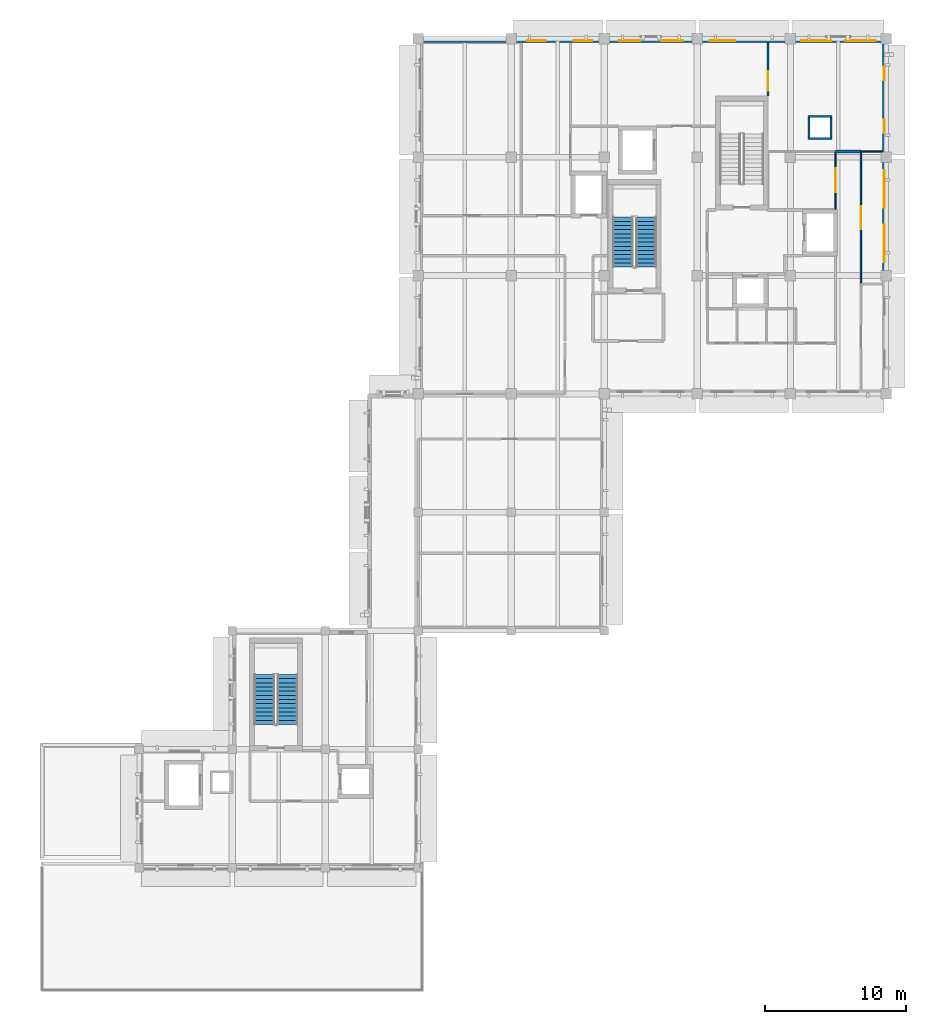
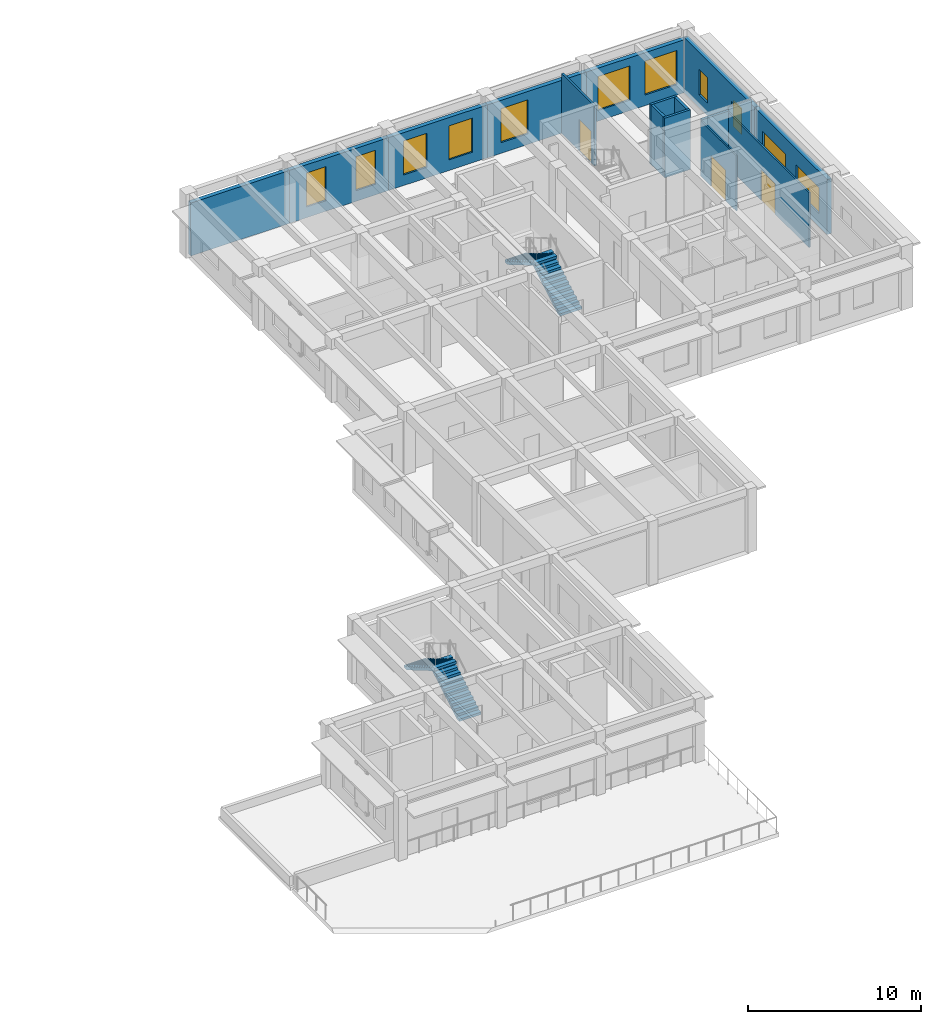
# One storey, part 13 of 20: 16 walls, 11 windows, 4 stair flights, 3 doors, 14 openings, 2 elements without a shape of their own.
"""IFC4 building model written with IfcOpenShell, lengths in metres."""

from ifc_helpers import new_model, si_unit, direction, frame, frame_2d, origin, place, context, subcontext, project, spatial, polyline, rectangle, outline, extrude, material, layer, layer_set, type_object, element, fill, aggregate, save


model = new_model("IFC4")

# Units and contexts
model_context = context("Model", 3, precision=1e-05, world=origin(), true_north=direction((0.0, 1.0)))
body_context = subcontext(model_context, "Body", "Model", "MODEL_VIEW")
ifc_project = project(units=[si_unit("LENGTHUNIT", "METRE"), si_unit("AREAUNIT", "SQUARE_METRE"), si_unit("VOLUMEUNIT", "CUBIC_METRE"), si_unit("PLANEANGLEUNIT", "RADIAN"), si_unit("MASSUNIT", "GRAM", prefix="KILO")], contexts=[model_context])

# Site, building, storey
site_placement = place(None, origin())
site = spatial("IfcSite", under=ifc_project, at=site_placement, CompositionType="ELEMENT")
building_placement = place(site_placement, origin())
building = spatial("IfcBuilding", under=site, at=building_placement, Name="Kolvaren Faculty of Natural Sciences", CompositionType="ELEMENT")
storey_placement = place(building_placement, frame((0.0, 0.0, 24.0)))
storey = spatial("IfcBuildingStorey", under=building, at=storey_placement, Name="L05", CompositionType="ELEMENT", Elevation=24.0)

# Wall, opening, door
ifc_material_1 = material(Name="Acoustic mineral-wool insulated gypsum partition")
ifc_layer_1 = layer(ifc_material_1, 0.094970703125)
ifc_layer_set_1 = layer_set([ifc_layer_1], Name="Acoustic mineral-wool insulated gypsum partition")
wall_type_1 = type_object("IfcWallType", Name="CubiclePartition_095", PredefinedType="PARTITIONING", material=ifc_layer_set_1)
wall_1_placement = place(storey_placement, frame((168.39990234375, 76.199951171875, 0.0), z_axis=(0.0, 0.0, 1.0), x_axis=(0.0, -1.0, 0.0)))
wall_1 = element("IfcWall", 1, at=wall_1_placement, inside=storey, type_object=wall_type_1, Name="L05 interior partition PW-095", PredefinedType="PARTITIONING", context=body_context, shape_type="SweptSolid", body=[
    extrude(rectangle(XDim=4.097900390625, YDim=0.094970703125, at=frame_2d((2.048828125, 0.0))), origin(), (0.0, 0.0, 1.0), 3.885009765625),
])
opening_1_placement = place(wall_1_placement, frame((1.198974609375, 0.0, 0.0)))
opening_1 = element("IfcOpeningElement", 2, at=opening_1_placement, cuts=wall_1, Name="Opening ID-30", PredefinedType="OPENING", context=body_context, shape_type="SweptSolid", body=[
    extrude(rectangle(XDim=1.699951171875, YDim=2.139892578125, at=frame_2d((0.85009765625, 1.06982421875))), frame((0.0, 0.057373046875, 0.0), z_axis=(0.0, -1.0, 0.0), x_axis=(1.0, 0.0, 0.0)), (0.0, 0.0, 1.0), 0.114990234375),
])
ifc_material_2 = material(Name="Thermally broken anodised aluminium glazed door", Category="aluminium")
door_type_1 = type_object("IfcDoorType", Name="InteriorRoomDoor_1700x2140", OperationType="DOUBLE_DOOR_SINGLE_SWING", PredefinedType="DOOR", material=ifc_material_2)
door_1_placement = place(opening_1_placement, origin())
door_1 = element("IfcDoor", 3, at=door_1_placement, inside=storey, type_object=door_type_1, Name="D-L05-0325", OperationType="DOUBLE_DOOR_SINGLE_SWING", OverallHeight=2.139892578125, OverallWidth=1.699951171875, PredefinedType="DOOR", context=body_context, shape_type="SweptSolid", body=[
    extrude(rectangle(XDim=1.699951171875, YDim=2.139892578125, at=frame_2d((0.85009765625, 1.06982421875))), frame((0.0, 0.02490234375, 0.0), z_axis=(0.0, -1.0, 0.0), x_axis=(1.0, 0.0, 0.0)), (0.0, 0.0, 1.0), 0.050048828125),
])
fill(opening_1, door_1)

# Wall
ifc_material_3 = material(Name="Precast concrete C35/45", Category="concrete")
ifc_layer_2 = layer(ifc_material_3, 0.280029296875)
ifc_layer_set_2 = layer_set([ifc_layer_2], Name="Precast concrete C35/45")
wall_type_2 = type_object("IfcWallType", Name="ExteriorPrecastWall_280", PredefinedType="STANDARD", material=ifc_layer_set_2)
wall_2_placement = place(storey_placement, frame((138.800048828125, 84.06005859375, 0.0), z_axis=(0.0, 0.0, 1.0), x_axis=(1.0, 0.0, 0.0)))
element("IfcWall", 4, at=wall_2_placement, inside=storey, type_object=wall_type_2, Name="L05 exterior masonry wall EW-280 (643)", PredefinedType="STANDARD", context=body_context, shape_type="SweptSolid", body=[
    extrude(rectangle(XDim=6.599853515625, YDim=0.280029296875, at=frame_2d((3.2998046875, 0.0))), origin(), (0.0, 0.0, 1.0), 3.735107421875),
])

# Wall, openings, windows
wall_3_placement = place(storey_placement, frame((145.39990234375, 84.06005859375, 0.0), z_axis=(0.0, 0.0, 1.0), x_axis=(1.0, 0.0, 0.0)))
wall_3 = element("IfcWall", 5, at=wall_3_placement, inside=storey, type_object=wall_type_2, Name="L05 exterior masonry wall EW-280 (644)", PredefinedType="STANDARD", context=body_context, shape_type="SweptSolid", body=[
    extrude(rectangle(XDim=6.60009765625, YDim=0.280029296875, at=frame_2d((3.300048828125, 0.0))), origin(), (0.0, 0.0, 1.0), 3.735107421875),
])
opening_2_placement = place(wall_3_placement, frame((1.132080078125, 0.0, 0.75)))
opening_2 = element("IfcOpeningElement", 6, at=opening_2_placement, cuts=wall_3, Name="Opening WIN-19", PredefinedType="OPENING", context=body_context, shape_type="SweptSolid", body=[
    extrude(rectangle(XDim=1.300048828125, YDim=2.39990234375, at=frame_2d((0.64990234375, 1.199951171875))), frame((0.0, 0.14990234375, 0.0), z_axis=(0.0, -1.0, 0.0), x_axis=(1.0, 0.0, 0.0)), (0.0, 0.0, 1.0), 0.300048828125),
])
opening_3_placement = place(wall_3_placement, frame((4.43994140625, 0.0, 0.75)))
opening_3 = element("IfcOpeningElement", 7, at=opening_3_placement, cuts=wall_3, Name="Opening WIN-19", PredefinedType="OPENING", context=body_context, shape_type="SweptSolid", body=[
    extrude(rectangle(XDim=1.300048828125, YDim=2.39990234375, at=frame_2d((0.64990234375, 1.199951171875))), frame((0.0, 0.14990234375, 0.0), z_axis=(0.0, -1.0, 0.0), x_axis=(1.0, 0.0, 0.0)), (0.0, 0.0, 1.0), 0.300048828125),
])
ifc_material_4 = material(Name="Double low-E solar control insulated glazing", Category="glass")
window_type_1 = type_object("IfcWindowType", Name="AluWindow_WIN19_1300x2400", PartitioningType="SINGLE_PANEL", PredefinedType="WINDOW", material=ifc_material_4)
window_1_placement = place(opening_2_placement, origin())
window_1 = element("IfcWindow", 8, at=window_1_placement, inside=storey, type_object=window_type_1, Name="WIN-L05-0450", OverallHeight=2.39990234375, OverallWidth=1.300048828125, PartitioningType="SINGLE_PANEL", PredefinedType="WINDOW", context=body_context, shape_type="SweptSolid", body=[
    extrude(rectangle(XDim=1.300048828125, YDim=2.39990234375, at=frame_2d((0.64990234375, 1.199951171875))), frame((0.0, 0.030029296875, 0.0), z_axis=(0.0, -1.0, 0.0), x_axis=(1.0, 0.0, 0.0)), (0.0, 0.0, 1.0), 0.06005859375),
])
fill(opening_2, window_1)
window_2_placement = place(opening_3_placement, origin())
window_2 = element("IfcWindow", 9, at=window_2_placement, inside=storey, type_object=window_type_1, Name="WIN-L05-0451", OverallHeight=2.39990234375, OverallWidth=1.300048828125, PartitioningType="SINGLE_PANEL", PredefinedType="WINDOW", context=body_context, shape_type="SweptSolid", body=[
    extrude(rectangle(XDim=1.300048828125, YDim=2.39990234375, at=frame_2d((0.64990234375, 1.199951171875))), frame((0.0, 0.030029296875, 0.0), z_axis=(0.0, -1.0, 0.0), x_axis=(1.0, 0.0, 0.0)), (0.0, 0.0, 1.0), 0.06005859375),
])
fill(opening_3, window_2)

wall_4_placement = place(storey_placement, frame((152.0, 84.06005859375, 0.0), z_axis=(0.0, 0.0, 1.0), x_axis=(1.0, 0.0, 0.0)))
wall_4 = element("IfcWall", 10, at=wall_4_placement, inside=storey, type_object=wall_type_2, Name="L05 exterior masonry wall EW-280 (645)", PredefinedType="STANDARD", context=body_context, shape_type="SweptSolid", body=[
    extrude(rectangle(XDim=6.60009765625, YDim=0.280029296875, at=frame_2d((3.300048828125, 0.0))), origin(), (0.0, 0.0, 1.0), 3.735107421875),
])
opening_4_placement = place(wall_4_placement, frame((1.007080078125, 0.0, 0.75)))
opening_4 = element("IfcOpeningElement", 11, at=opening_4_placement, cuts=wall_4, Name="Opening WIN-20", PredefinedType="OPENING", context=body_context, shape_type="SweptSolid", body=[
    extrude(rectangle(XDim=1.550048828125, YDim=2.39990234375, at=frame_2d((0.77490234375, 1.199951171875))), frame((0.0, 0.14990234375, 0.0), z_axis=(0.0, -1.0, 0.0), x_axis=(1.0, 0.0, 0.0)), (0.0, 0.0, 1.0), 0.300048828125),
])
opening_5_placement = place(wall_4_placement, frame((4.04296875, 0.0, 0.75)))
opening_5 = element("IfcOpeningElement", 12, at=opening_5_placement, cuts=wall_4, Name="Opening WIN-20", PredefinedType="OPENING", context=body_context, shape_type="SweptSolid", body=[
    extrude(rectangle(XDim=1.550048828125, YDim=2.39990234375, at=frame_2d((0.77490234375, 1.199951171875))), frame((0.0, 0.14990234375, 0.0), z_axis=(0.0, -1.0, 0.0), x_axis=(1.0, 0.0, 0.0)), (0.0, 0.0, 1.0), 0.300048828125),
])
window_type_2 = type_object("IfcWindowType", Name="AluWindow_WIN20_1550x2400", PartitioningType="SINGLE_PANEL", PredefinedType="WINDOW", material=ifc_material_4)
window_3_placement = place(opening_4_placement, origin())
window_3 = element("IfcWindow", 13, at=window_3_placement, inside=storey, type_object=window_type_2, Name="WIN-L05-0452", OverallHeight=2.39990234375, OverallWidth=1.550048828125, PartitioningType="SINGLE_PANEL", PredefinedType="WINDOW", context=body_context, shape_type="SweptSolid", body=[
    extrude(rectangle(XDim=1.550048828125, YDim=2.39990234375, at=frame_2d((0.77490234375, 1.199951171875))), frame((0.0, 0.030029296875, 0.0), z_axis=(0.0, -1.0, 0.0), x_axis=(1.0, 0.0, 0.0)), (0.0, 0.0, 1.0), 0.06005859375),
])
fill(opening_4, window_3)
window_4_placement = place(opening_5_placement, origin())
window_4 = element("IfcWindow", 14, at=window_4_placement, inside=storey, type_object=window_type_2, Name="WIN-L05-0453", OverallHeight=2.39990234375, OverallWidth=1.550048828125, PartitioningType="SINGLE_PANEL", PredefinedType="WINDOW", context=body_context, shape_type="SweptSolid", body=[
    extrude(rectangle(XDim=1.550048828125, YDim=2.39990234375, at=frame_2d((0.77490234375, 1.199951171875))), frame((0.0, 0.030029296875, 0.0), z_axis=(0.0, -1.0, 0.0), x_axis=(1.0, 0.0, 0.0)), (0.0, 0.0, 1.0), 0.06005859375),
])
fill(opening_5, window_4)

# Wall, opening, window
wall_5_placement = place(storey_placement, frame((158.60009765625, 84.06005859375, 0.0), z_axis=(0.0, 0.0, 1.0), x_axis=(1.0, 0.0, 0.0)))
wall_5 = element("IfcWall", 15, at=wall_5_placement, inside=storey, type_object=wall_type_2, Name="L05 exterior masonry wall EW-280 (646)", PredefinedType="STANDARD", context=body_context, shape_type="SweptSolid", body=[
    extrude(rectangle(XDim=6.599853515625, YDim=0.280029296875, at=frame_2d((3.2998046875, 0.0))), origin(), (0.0, 0.0, 1.0), 3.735107421875),
])
opening_6_placement = place(wall_5_placement, frame((0.882080078125, 0.0, 0.75)))
opening_6 = element("IfcOpeningElement", 16, at=opening_6_placement, cuts=wall_5, Name="Opening WIN-21", PredefinedType="OPENING", context=body_context, shape_type="SweptSolid", body=[
    extrude(rectangle(XDim=1.800048828125, YDim=2.39990234375, at=frame_2d((0.89990234375, 1.199951171875))), frame((0.0, 0.14990234375, 0.0), z_axis=(0.0, -1.0, 0.0), x_axis=(1.0, 0.0, 0.0)), (0.0, 0.0, 1.0), 0.300048828125),
])
window_type_3 = type_object("IfcWindowType", Name="AluWindow_WIN21_1800x2400", PartitioningType="SINGLE_PANEL", PredefinedType="WINDOW", material=ifc_material_4)
window_5_placement = place(opening_6_placement, origin())
window_5 = element("IfcWindow", 17, at=window_5_placement, inside=storey, type_object=window_type_3, Name="WIN-L05-0454", OverallHeight=2.39990234375, OverallWidth=1.800048828125, PartitioningType="SINGLE_PANEL", PredefinedType="WINDOW", context=body_context, shape_type="SweptSolid", body=[
    extrude(rectangle(XDim=1.800048828125, YDim=2.39990234375, at=frame_2d((0.89990234375, 1.199951171875))), frame((0.0, 0.030029296875, 0.0), z_axis=(0.0, -1.0, 0.0), x_axis=(1.0, 0.0, 0.0)), (0.0, 0.0, 1.0), 0.06005859375),
])
fill(opening_6, window_5)

# Wall, openings, windows
wall_6_placement = place(storey_placement, frame((165.199951171875, 84.06005859375, 0.0), z_axis=(0.0, 0.0, 1.0), x_axis=(1.0, 0.0, 0.0)))
wall_6 = element("IfcWall", 18, at=wall_6_placement, inside=storey, type_object=wall_type_2, Name="L05 exterior masonry wall EW-280 (647)", PredefinedType="STANDARD", context=body_context, shape_type="SweptSolid", body=[
    extrude(rectangle(XDim=6.800048828125, YDim=0.280029296875, at=frame_2d((3.39990234375, 0.0))), origin(), (0.0, 0.0, 1.0), 3.735107421875),
])
opening_7_placement = place(wall_6_placement, frame((0.760986328125, 0.0, 0.75)))
opening_7 = element("IfcOpeningElement", 19, at=opening_7_placement, cuts=wall_6, Name="Opening WIN-22", PredefinedType="OPENING", context=body_context, shape_type="SweptSolid", body=[
    extrude(rectangle(XDim=2.14990234375, YDim=2.39990234375, at=frame_2d((1.074951171875, 1.199951171875))), frame((0.0, 0.14990234375, 0.0), z_axis=(0.0, -1.0, 0.0), x_axis=(1.0, 0.0, 0.0)), (0.0, 0.0, 1.0), 0.300048828125),
])
opening_8_placement = place(wall_6_placement, frame((3.888916015625, 0.0, 0.75)))
opening_8 = element("IfcOpeningElement", 20, at=opening_8_placement, cuts=wall_6, Name="Opening WIN-22", PredefinedType="OPENING", context=body_context, shape_type="SweptSolid", body=[
    extrude(rectangle(XDim=2.14990234375, YDim=2.39990234375, at=frame_2d((1.074951171875, 1.199951171875))), frame((0.0, 0.14990234375, 0.0), z_axis=(0.0, -1.0, 0.0), x_axis=(1.0, 0.0, 0.0)), (0.0, 0.0, 1.0), 0.300048828125),
])
window_type_4 = type_object("IfcWindowType", Name="AluWindow_WIN22_2150x2400", PartitioningType="SINGLE_PANEL", PredefinedType="WINDOW", material=ifc_material_4)
window_6_placement = place(opening_7_placement, origin())
window_6 = element("IfcWindow", 21, at=window_6_placement, inside=storey, type_object=window_type_4, Name="WIN-L05-0455", OverallHeight=2.39990234375, OverallWidth=2.14990234375, PartitioningType="SINGLE_PANEL", PredefinedType="WINDOW", context=body_context, shape_type="SweptSolid", body=[
    extrude(rectangle(XDim=2.14990234375, YDim=2.39990234375, at=frame_2d((1.074951171875, 1.199951171875))), frame((0.0, 0.030029296875, 0.0), z_axis=(0.0, -1.0, 0.0), x_axis=(1.0, 0.0, 0.0)), (0.0, 0.0, 1.0), 0.06005859375),
])
fill(opening_7, window_6)
window_7_placement = place(opening_8_placement, origin())
window_7 = element("IfcWindow", 22, at=window_7_placement, inside=storey, type_object=window_type_4, Name="WIN-L05-0456", OverallHeight=2.39990234375, OverallWidth=2.14990234375, PartitioningType="SINGLE_PANEL", PredefinedType="WINDOW", context=body_context, shape_type="SweptSolid", body=[
    extrude(rectangle(XDim=2.14990234375, YDim=2.39990234375, at=frame_2d((1.074951171875, 1.199951171875))), frame((0.0, 0.030029296875, 0.0), z_axis=(0.0, -1.0, 0.0), x_axis=(1.0, 0.0, 0.0)), (0.0, 0.0, 1.0), 0.06005859375),
])
fill(opening_8, window_7)

wall_7_placement = place(storey_placement, frame((171.860107421875, 83.919921875, 0.0), z_axis=(0.0, 0.0, 1.0), x_axis=(0.0, -1.0, 0.0)))
wall_7 = element("IfcWall", 23, at=wall_7_placement, inside=storey, type_object=wall_type_2, Name="L05 exterior masonry wall EW-280 (648)", PredefinedType="STANDARD", context=body_context, shape_type="SweptSolid", body=[
    extrude(rectangle(XDim=8.119873046875, YDim=0.280029296875, at=frame_2d((4.06005859375, 0.0))), origin(), (0.0, 0.0, 1.0), 3.885009765625),
])
opening_9_placement = place(wall_7_placement, frame((1.71728515625, 0.0, 0.89990234375)))
opening_9 = element("IfcOpeningElement", 24, at=opening_9_placement, cuts=wall_7, Name="Opening WIN-23", PredefinedType="OPENING", context=body_context, shape_type="SweptSolid", body=[
    extrude(rectangle(XDim=0.949951171875, YDim=1.800048828125, at=frame_2d((0.47509765625, 0.89990234375))), frame((0.0, 0.14990234375, 0.0), z_axis=(0.0, -1.0, 0.0), x_axis=(1.0, 0.0, 0.0)), (0.0, 0.0, 1.0), 0.300048828125),
])
opening_10_placement = place(wall_7_placement, frame((5.45263671875, 0.0, 0.89990234375)))
opening_10 = element("IfcOpeningElement", 25, at=opening_10_placement, cuts=wall_7, Name="Opening WIN-23", PredefinedType="OPENING", context=body_context, shape_type="SweptSolid", body=[
    extrude(rectangle(XDim=0.949951171875, YDim=1.800048828125, at=frame_2d((0.47509765625, 0.89990234375))), frame((0.0, 0.14990234375, 0.0), z_axis=(0.0, -1.0, 0.0), x_axis=(1.0, 0.0, 0.0)), (0.0, 0.0, 1.0), 0.300048828125),
])
window_type_5 = type_object("IfcWindowType", Name="AluWindow_WIN23_950x1800", PartitioningType="SINGLE_PANEL", PredefinedType="WINDOW", material=ifc_material_4)
window_8_placement = place(opening_9_placement, origin())
window_8 = element("IfcWindow", 26, at=window_8_placement, inside=storey, type_object=window_type_5, Name="WIN-L05-0457", OverallHeight=1.800048828125, OverallWidth=0.949951171875, PartitioningType="SINGLE_PANEL", PredefinedType="WINDOW", context=body_context, shape_type="SweptSolid", body=[
    extrude(rectangle(XDim=0.949951171875, YDim=1.800048828125, at=frame_2d((0.47509765625, 0.89990234375))), frame((0.0, 0.030029296875, 0.0), z_axis=(0.0, -1.0, 0.0), x_axis=(1.0, 0.0, 0.0)), (0.0, 0.0, 1.0), 0.06005859375),
])
fill(opening_9, window_8)
window_9_placement = place(opening_10_placement, origin())
window_9 = element("IfcWindow", 27, at=window_9_placement, inside=storey, type_object=window_type_5, Name="WIN-L05-0458", OverallHeight=1.800048828125, OverallWidth=0.949951171875, PartitioningType="SINGLE_PANEL", PredefinedType="WINDOW", context=body_context, shape_type="SweptSolid", body=[
    extrude(rectangle(XDim=0.949951171875, YDim=1.800048828125, at=frame_2d((0.47509765625, 0.89990234375))), frame((0.0, 0.030029296875, 0.0), z_axis=(0.0, -1.0, 0.0), x_axis=(1.0, 0.0, 0.0)), (0.0, 0.0, 1.0), 0.06005859375),
])
fill(opening_10, window_9)

wall_8_placement = place(storey_placement, frame((171.860107421875, 75.800048828125, 0.0), z_axis=(0.0, 0.0, 1.0), x_axis=(0.0, -1.0, 0.0)))
wall_8 = element("IfcWall", 28, at=wall_8_placement, inside=storey, type_object=wall_type_2, Name="L05 exterior masonry wall EW-280 (649)", PredefinedType="STANDARD", context=body_context, shape_type="SweptSolid", body=[
    extrude(rectangle(XDim=8.400146484375, YDim=0.280029296875, at=frame_2d((4.2001953125, 0.0))), origin(), (0.0, 0.0, 1.0), 3.885009765625),
])
opening_11_placement = place(wall_8_placement, frame((0.943115234375, 0.0, 0.89990234375)))
opening_11 = element("IfcOpeningElement", 29, at=opening_11_placement, cuts=wall_8, Name="Opening WIN-24", PredefinedType="OPENING", context=body_context, shape_type="SweptSolid", body=[
    extrude(rectangle(XDim=2.64990234375, YDim=1.85009765625, at=frame_2d((1.324951171875, 0.925048828125))), frame((0.0, 0.14990234375, 0.0), z_axis=(0.0, -1.0, 0.0), x_axis=(1.0, 0.0, 0.0)), (0.0, 0.0, 1.0), 0.300048828125),
])
opening_12_placement = place(wall_8_placement, frame((4.806884765625, 0.0, 0.89990234375)))
opening_12 = element("IfcOpeningElement", 30, at=opening_12_placement, cuts=wall_8, Name="Opening WIN-24", PredefinedType="OPENING", context=body_context, shape_type="SweptSolid", body=[
    extrude(rectangle(XDim=2.64990234375, YDim=1.85009765625, at=frame_2d((1.324951171875, 0.925048828125))), frame((0.0, 0.14990234375, 0.0), z_axis=(0.0, -1.0, 0.0), x_axis=(1.0, 0.0, 0.0)), (0.0, 0.0, 1.0), 0.300048828125),
])
window_type_6 = type_object("IfcWindowType", Name="AluWindow_WIN24_2650x1850", PartitioningType="SINGLE_PANEL", PredefinedType="WINDOW", material=ifc_material_4)
window_10_placement = place(opening_11_placement, origin())
window_10 = element("IfcWindow", 31, at=window_10_placement, inside=storey, type_object=window_type_6, Name="WIN-L05-0459", OverallHeight=1.85009765625, OverallWidth=2.64990234375, PartitioningType="SINGLE_PANEL", PredefinedType="WINDOW", context=body_context, shape_type="SweptSolid", body=[
    extrude(rectangle(XDim=2.64990234375, YDim=1.85009765625, at=frame_2d((1.324951171875, 0.925048828125))), frame((0.0, 0.030029296875, 0.0), z_axis=(0.0, -1.0, 0.0), x_axis=(1.0, 0.0, 0.0)), (0.0, 0.0, 1.0), 0.06005859375),
])
fill(opening_11, window_10)
window_11_placement = place(opening_12_placement, origin())
window_11 = element("IfcWindow", 32, at=window_11_placement, inside=storey, type_object=window_type_6, Name="WIN-L05-0460", OverallHeight=1.85009765625, OverallWidth=2.64990234375, PartitioningType="SINGLE_PANEL", PredefinedType="WINDOW", context=body_context, shape_type="SweptSolid", body=[
    extrude(rectangle(XDim=2.64990234375, YDim=1.85009765625, at=frame_2d((1.324951171875, 0.925048828125))), frame((0.0, 0.030029296875, 0.0), z_axis=(0.0, -1.0, 0.0), x_axis=(1.0, 0.0, 0.0)), (0.0, 0.0, 1.0), 0.06005859375),
])
fill(opening_12, window_11)

# Wall
ifc_layer_3 = layer(ifc_material_1, 0.18505859375)
ifc_layer_set_3 = layer_set([ifc_layer_3], Name="Acoustic mineral-wool insulated gypsum partition")
wall_type_3 = type_object("IfcWallType", Name="LabPartitionWall_185", PredefinedType="PARTITIONING", material=ifc_layer_set_3)
wall_9_placement = place(storey_placement, frame((170.199951171875, 76.199951171875, 0.0), z_axis=(0.0, 0.0, 1.0), x_axis=(-1.0, 0.0, 0.0)))
element("IfcWall", 33, at=wall_9_placement, inside=storey, type_object=wall_type_3, Name="L05 interior partition PW-185", PredefinedType="PARTITIONING", context=body_context, shape_type="SweptSolid", body=[
    extrude(rectangle(XDim=1.800048828125, YDim=0.18505859375, at=frame_2d((0.89990234375, 0.0))), origin(), (0.0, 0.0, 1.0), 3.985107421875),
])

# Wall, opening, door
ifc_layer_4 = layer(ifc_material_1, 0.1298828125)
ifc_layer_set_4 = layer_set([ifc_layer_4], Name="Acoustic mineral-wool insulated gypsum partition")
wall_type_4 = type_object("IfcWallType", Name="OfficePartitionWall_130", PredefinedType="PARTITIONING", material=ifc_layer_set_4)
wall_10_placement = place(storey_placement, frame((163.60009765625, 83.91796875, 0.0), z_axis=(0.0, 0.0, 1.0), x_axis=(0.0, -1.0, 0.0)))
wall_10 = element("IfcWall", 34, at=wall_10_placement, inside=storey, type_object=wall_type_4, Name="L05 interior partition PW-130", PredefinedType="PARTITIONING", context=body_context, shape_type="SweptSolid", body=[
    extrude(rectangle(XDim=3.791015625, YDim=0.1298828125, at=frame_2d((1.8955078125, 0.0))), origin(), (0.0, 0.0, 1.0), 4.215087890625),
])
opening_13_placement = place(wall_10_placement, frame((2.03955078125, 0.0, 0.0)))
opening_13 = element("IfcOpeningElement", 35, at=opening_13_placement, cuts=wall_10, Name="Opening ID-31", PredefinedType="OPENING", context=body_context, shape_type="SweptSolid", body=[
    extrude(rectangle(XDim=1.3798828125, YDim=2.199951171875, at=frame_2d((0.68994140625, 1.10009765625))), frame((0.0, 0.074951171875, 0.0), z_axis=(0.0, -1.0, 0.0), x_axis=(1.0, 0.0, 0.0)), (0.0, 0.0, 1.0), 0.14990234375),
])
door_type_2 = type_object("IfcDoorType", Name="InteriorRoomDoor_1380x2200", OperationType="DOUBLE_DOOR_SINGLE_SWING", PredefinedType="DOOR", material=ifc_material_2)
door_2_placement = place(opening_13_placement, origin())
door_2 = element("IfcDoor", 36, at=door_2_placement, inside=storey, type_object=door_type_2, Name="D-L05-0326", OperationType="DOUBLE_DOOR_SINGLE_SWING", OverallHeight=2.199951171875, OverallWidth=1.3798828125, PredefinedType="DOOR", context=body_context, shape_type="SweptSolid", body=[
    extrude(rectangle(XDim=1.3798828125, YDim=2.199951171875, at=frame_2d((0.68994140625, 1.10009765625))), frame((0.0, 0.02490234375, 0.0), z_axis=(0.0, -1.0, 0.0), x_axis=(1.0, 0.0, 0.0)), (0.0, 0.0, 1.0), 0.050048828125),
])
fill(opening_13, door_2)

# Walls
ifc_material_5 = material(Name="Double fire-rated gypsum board on 100 mm steel stud", Category="steel")
ifc_layer_5 = layer(ifc_material_5, 0.159912109375)
ifc_layer_set_5 = layer_set([ifc_layer_5], Name="Double fire-rated gypsum board on 100 mm steel stud")
wall_type_5 = type_object("IfcWallType", Name="RiserShaftWall_160", PredefinedType="PARTITIONING", material=ifc_layer_set_5)
for number, where, z_axis, x_axis, name in (
    (37, (166.43994140625, 77.1201171875, 0.0), (0.0, 0.0, 1.0), (1.0, 0.0, 0.0), "L05 service riser shaft wall S"),
    (38, (166.43994140625, 78.679931640625, 0.0), (0.0, 0.0, 1.0), (1.0, 0.0, 0.0), "L05 service riser shaft wall N"),
):
    element("IfcWall", number, at=place(storey_placement, frame(where, z_axis=z_axis, x_axis=x_axis)), inside=storey, type_object=wall_type_5, Name=name, PredefinedType="PARTITIONING", context=body_context, shape_type="SweptSolid", body=[
        extrude(rectangle(XDim=1.719970703125, YDim=0.159912109375, at=frame_2d((0.85986328125, 0.0))), origin(), (0.0, 0.0, 1.0), 4.215087890625),
    ])
for number, where, z_axis, x_axis, name in (
    (39, (166.52001953125, 77.199951171875, 0.0), (0.0, 0.0, 1.0), (0.0, 1.0, 0.0), "L05 service riser shaft wall W"),
    (40, (168.080078125, 77.199951171875, 0.0), (0.0, 0.0, 1.0), (0.0, 1.0, 0.0), "L05 service riser shaft wall E"),
):
    element("IfcWall", number, at=place(storey_placement, frame(where, z_axis=z_axis, x_axis=x_axis)), inside=storey, type_object=wall_type_5, Name=name, PredefinedType="PARTITIONING", context=body_context, shape_type="SweptSolid", body=[
        extrude(rectangle(XDim=1.400146484375, YDim=0.159912109375, at=frame_2d((0.7001953125, 0.0))), origin(), (0.0, 0.0, 1.0), 4.215087890625),
    ])
ifc_layer_6 = layer(ifc_material_1, 0.10498046875)
ifc_layer_set_6 = layer_set([ifc_layer_6], Name="Acoustic mineral-wool insulated gypsum partition")
wall_type_6 = type_object("IfcWallType", Name="WetRoomPartition_105", PredefinedType="PARTITIONING", material=ifc_layer_set_6)
wall_11_placement = place(storey_placement, frame((170.199951171875, 76.199951171875, 0.0), z_axis=(0.0, 0.0, 1.0), x_axis=(1.0, 0.0, 0.0)))
element("IfcWall", 41, at=wall_11_placement, inside=storey, type_object=wall_type_6, Name="L05 interior partition PW-105", PredefinedType="PARTITIONING", context=body_context, shape_type="SweptSolid", body=[
    extrude(rectangle(XDim=1.51806640625, YDim=0.10498046875, at=frame_2d((0.759033203125, 0.0))), origin(), (0.0, 0.0, 1.0), 4.215087890625),
])

# Wall, opening, door
wall_12_placement = place(storey_placement, frame((170.199951171875, 66.800048828125, 0.0), z_axis=(0.0, 0.0, 1.0), x_axis=(0.0, 1.0, 0.0)))
wall_12 = element("IfcWall", 42, at=wall_12_placement, inside=storey, type_object=wall_type_6, Name="L05 interior partition PW-105", PredefinedType="PARTITIONING", context=body_context, shape_type="SweptSolid", body=[
    extrude(rectangle(XDim=9.39990234375, YDim=0.10498046875, at=frame_2d((4.699951171875, 0.0))), origin(), (0.0, 0.0, 1.0), 3.885009765625),
])
opening_14_placement = place(wall_12_placement, frame((3.889892578125, 0.0, 0.0)))
opening_14 = element("IfcOpeningElement", 43, at=opening_14_placement, cuts=wall_12, Name="Opening ID-29", PredefinedType="OPENING", context=body_context, shape_type="SweptSolid", body=[
    extrude(rectangle(XDim=1.6201171875, YDim=2.139892578125, at=frame_2d((0.81005859375, 1.06982421875))), frame((0.0, 0.0625, 0.0), z_axis=(0.0, -1.0, 0.0), x_axis=(1.0, 0.0, 0.0)), (0.0, 0.0, 1.0), 0.125),
])
door_type_3 = type_object("IfcDoorType", Name="InteriorRoomDoor_1620x2140", OperationType="DOUBLE_DOOR_SINGLE_SWING", PredefinedType="DOOR", material=ifc_material_2)
door_3_placement = place(opening_14_placement, origin())
door_3 = element("IfcDoor", 44, at=door_3_placement, inside=storey, type_object=door_type_3, Name="D-L05-0324", OperationType="DOUBLE_DOOR_SINGLE_SWING", OverallHeight=2.139892578125, OverallWidth=1.6201171875, PredefinedType="DOOR", context=body_context, shape_type="SweptSolid", body=[
    extrude(rectangle(XDim=1.6201171875, YDim=2.139892578125, at=frame_2d((0.81005859375, 1.06982421875))), frame((0.0, 0.02490234375, 0.0), z_axis=(0.0, -1.0, 0.0), x_axis=(1.0, 0.0, 0.0)), (0.0, 0.0, 1.0), 0.050048828125),
])
fill(opening_14, door_3)

# Stair, stair flights
ifc_material_6 = material(Name="Concrete C35/45", Category="concrete")
stair_type = type_object("IfcStairType", Name="DoglegStair_H4500", PredefinedType="HALF_TURN_STAIR", material=ifc_material_6)
stair_1_placement = place(storey_placement, origin())
stair_1 = element("IfcStair", 45, at=stair_1_placement, inside=storey, type_object=stair_type, Name="L05 Protected exit stair ST-2", PredefinedType="HALF_TURN_STAIR")
stair_flight_type = type_object("IfcStairFlightType", Name="StairFlight_R1731", PredefinedType="STRAIGHT", material=ifc_material_6)
stair_flight_1_placement = place(storey_placement, frame((154.97509765625, 68.0, 0.0), z_axis=(0.0, 0.0, 1.0), x_axis=(0.0, 1.0, 0.0)))
stair_flight_1 = element("IfcStairFlight", 46, at=stair_flight_1_placement, type_object=stair_flight_type, Name="ST-2 flight 1", NumberOfRisers=13, NumberOfTreads=12, PredefinedType="STRAIGHT", RiserHeight=0.173076923, TreadLength=0.295, context=body_context, shape_type="SweptSolid", body=[
    extrude(outline(polyline([(0.0, 0.0), (0.0, 0.173095703125), (0.294921875, 0.173095703125), (0.294921875, 0.34619140625), (0.590087890625, 0.34619140625), (0.590087890625, 0.519287109375), (0.885009765625, 0.519287109375), (0.885009765625, 0.6923828125), (1.179931640625, 0.6923828125), (1.179931640625, 0.865478515625), (1.47509765625, 0.865478515625), (1.47509765625, 1.03857421875), (1.77001953125, 1.03857421875), (1.77001953125, 1.21142578125), (2.06494140625, 1.21142578125), (2.06494140625, 1.384521484375), (2.360107421875, 1.384521484375), (2.360107421875, 1.5576171875), (2.655029296875, 1.5576171875), (2.655029296875, 1.730712890625), (2.949951171875, 1.730712890625), (2.949951171875, 1.90380859375), (3.2451171875, 1.90380859375), (3.2451171875, 2.076904296875), (3.5400390625, 2.076904296875), (3.5400390625, 2.25), (3.5400390625, 1.903076171875), (0.296142578125, 0.0), (0.0, 0.0)])), frame((0.0, 0.72509765625, 0.0), z_axis=(0.0, -1.0, 0.0), x_axis=(1.0, 0.0, 0.0)), (0.0, 0.0, 1.0), 1.449951171875),
])
stair_flight_2_placement = place(storey_placement, frame((153.324951171875, 71.5400390625, 2.25), z_axis=(0.0, 0.0, 1.0), x_axis=(0.0, -1.0, 0.0)))
stair_flight_2 = element("IfcStairFlight", 47, at=stair_flight_2_placement, type_object=stair_flight_type, Name="ST-2 flight 2", NumberOfRisers=13, NumberOfTreads=12, PredefinedType="STRAIGHT", RiserHeight=0.173076923, TreadLength=0.295, context=body_context, shape_type="SweptSolid", body=[
    extrude(outline(polyline([(0.0, 0.0), (0.0, 0.173095703125), (0.294921875, 0.173095703125), (0.294921875, 0.34619140625), (0.590087890625, 0.34619140625), (0.590087890625, 0.519287109375), (0.885009765625, 0.519287109375), (0.885009765625, 0.6923828125), (1.179931640625, 0.6923828125), (1.179931640625, 0.865478515625), (1.47509765625, 0.865478515625), (1.47509765625, 1.03857421875), (1.77001953125, 1.03857421875), (1.77001953125, 1.21142578125), (2.06494140625, 1.21142578125), (2.06494140625, 1.384521484375), (2.360107421875, 1.384521484375), (2.360107421875, 1.5576171875), (2.655029296875, 1.5576171875), (2.655029296875, 1.730712890625), (2.949951171875, 1.730712890625), (2.949951171875, 1.90380859375), (3.2451171875, 1.90380859375), (3.2451171875, 2.076904296875), (3.5400390625, 2.076904296875), (3.5400390625, 2.25), (3.5400390625, 1.903076171875), (0.296142578125, 0.0), (0.0, 0.0)])), frame((0.0, 0.72509765625, 0.0), z_axis=(0.0, -1.0, 0.0), x_axis=(1.0, 0.0, 0.0)), (0.0, 0.0, 1.0), 1.449951171875),
])
aggregate(stair_1, [stair_flight_1, stair_flight_2])

stair_2_placement = place(storey_placement, origin())
stair_2 = element("IfcStair", 48, at=stair_2_placement, inside=storey, type_object=stair_type, Name="L05 Protected exit stair ST-3", PredefinedType="HALF_TURN_STAIR")
stair_flight_3_placement = place(storey_placement, frame((129.52490234375, 35.550048828125, 0.0), z_axis=(0.0, 0.0, 1.0), x_axis=(0.0, 1.0, 0.0)))
stair_flight_3 = element("IfcStairFlight", 49, at=stair_flight_3_placement, type_object=stair_flight_type, Name="ST-3 flight 1", NumberOfRisers=13, NumberOfTreads=12, PredefinedType="STRAIGHT", RiserHeight=0.173076923, TreadLength=0.295, context=body_context, shape_type="SweptSolid", body=[
    extrude(outline(polyline([(0.0, 0.0), (0.0, 0.173095703125), (0.294921875, 0.173095703125), (0.294921875, 0.34619140625), (0.590087890625, 0.34619140625), (0.590087890625, 0.519287109375), (0.885009765625, 0.519287109375), (0.885009765625, 0.6923828125), (1.179931640625, 0.6923828125), (1.179931640625, 0.865478515625), (1.47509765625, 0.865478515625), (1.47509765625, 1.03857421875), (1.77001953125, 1.03857421875), (1.77001953125, 1.21142578125), (2.06494140625, 1.21142578125), (2.06494140625, 1.384521484375), (2.360107421875, 1.384521484375), (2.360107421875, 1.5576171875), (2.655029296875, 1.5576171875), (2.655029296875, 1.730712890625), (2.949951171875, 1.730712890625), (2.949951171875, 1.90380859375), (3.2451171875, 1.90380859375), (3.2451171875, 2.076904296875), (3.5400390625, 2.076904296875), (3.5400390625, 2.25), (3.5400390625, 1.903076171875), (0.296142578125, 0.0), (0.0, 0.0)])), frame((0.0, 0.72509765625, 0.0), z_axis=(0.0, -1.0, 0.0), x_axis=(1.0, 0.0, 0.0)), (0.0, 0.0, 1.0), 1.449951171875),
])
stair_flight_4_placement = place(storey_placement, frame((127.875, 39.090087890625, 2.25), z_axis=(0.0, 0.0, 1.0), x_axis=(0.0, -1.0, 0.0)))
stair_flight_4 = element("IfcStairFlight", 50, at=stair_flight_4_placement, type_object=stair_flight_type, Name="ST-3 flight 2", NumberOfRisers=13, NumberOfTreads=12, PredefinedType="STRAIGHT", RiserHeight=0.173076923, TreadLength=0.295, context=body_context, shape_type="SweptSolid", body=[
    extrude(outline(polyline([(0.0, 0.0), (0.0, 0.173095703125), (0.294921875, 0.173095703125), (0.294921875, 0.34619140625), (0.590087890625, 0.34619140625), (0.590087890625, 0.519287109375), (0.885009765625, 0.519287109375), (0.885009765625, 0.6923828125), (1.179931640625, 0.6923828125), (1.179931640625, 0.865478515625), (1.47509765625, 0.865478515625), (1.47509765625, 1.03857421875), (1.77001953125, 1.03857421875), (1.77001953125, 1.21142578125), (2.06494140625, 1.21142578125), (2.06494140625, 1.384521484375), (2.360107421875, 1.384521484375), (2.360107421875, 1.5576171875), (2.655029296875, 1.5576171875), (2.655029296875, 1.730712890625), (2.949951171875, 1.730712890625), (2.949951171875, 1.90380859375), (3.2451171875, 1.90380859375), (3.2451171875, 2.076904296875), (3.5400390625, 2.076904296875), (3.5400390625, 2.25), (3.5400390625, 1.903076171875), (0.296142578125, 0.0), (0.0, 0.0)])), frame((0.0, 0.72509765625, 0.0), z_axis=(0.0, -1.0, 0.0), x_axis=(1.0, 0.0, 0.0)), (0.0, 0.0, 1.0), 1.449951171875),
])
aggregate(stair_2, [stair_flight_3, stair_flight_4])

save(model, "model.ifc")
